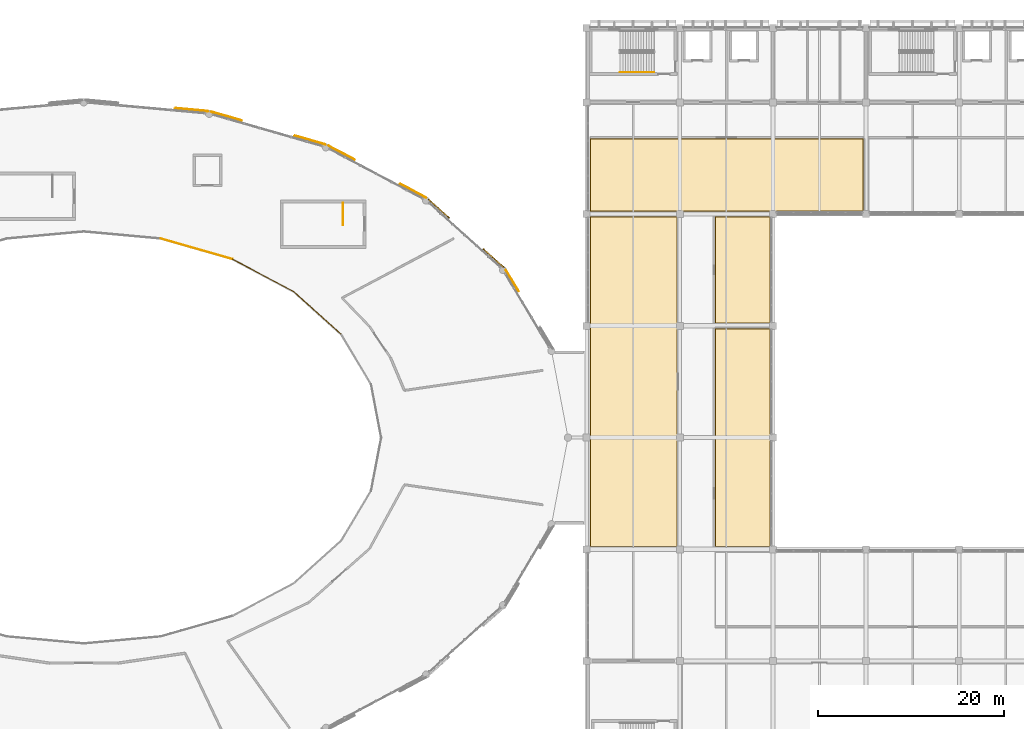
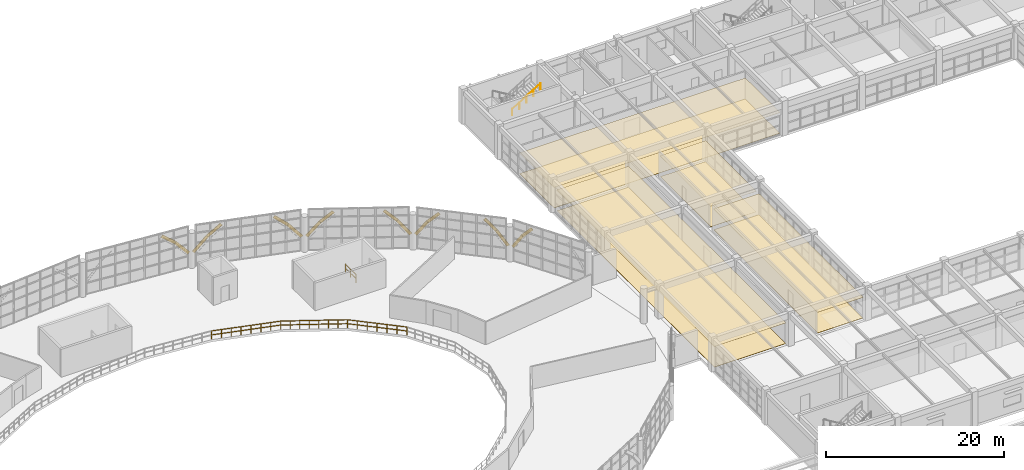
# One storey, part 103 of 109: 24 coverings, 5 railings.
"""IFC4 building model written with IfcOpenShell, lengths in metres."""

from ifc_helpers import new_model, si_unit, direction, frame, origin, origin_2d, place, context, subcontext, project, spatial, polyline, rectangle, circle, outline, extrude, material, layer, layer_set, type_object, element, save


model = new_model("IFC4")

# Units and contexts
model_context = context("Model", 3, precision=1e-05, world=origin(), true_north=direction((0.0, 1.0)))
body_context = subcontext(model_context, "Body", "Model", "MODEL_VIEW")
ifc_project = project(units=[si_unit("LENGTHUNIT", "METRE"), si_unit("AREAUNIT", "SQUARE_METRE"), si_unit("VOLUMEUNIT", "CUBIC_METRE"), si_unit("PLANEANGLEUNIT", "RADIAN"), si_unit("MASSUNIT", "GRAM", prefix="KILO")], contexts=[model_context])

# Site, building, storey
site_placement = place(None, origin())
site = spatial("IfcSite", under=ifc_project, at=site_placement, CompositionType="ELEMENT")
building_placement = place(site_placement, origin())
building = spatial("IfcBuilding", under=site, at=building_placement, Name="Kivolera Central Railway Station", CompositionType="ELEMENT")
storey_placement = place(building_placement, frame((0.0, 0.0, 9.60009765625)))
storey = spatial("IfcBuildingStorey", under=building, at=storey_placement, Name="L02", CompositionType="ELEMENT", Elevation=9.60009765625)

# Coverings
ifc_material_1 = material(Name="Mineral fibre acoustic tile")
ifc_layer_1 = layer(ifc_material_1, 0.02001953125, Name="Mineral fibre acoustic tile")
ifc_layer_set_1 = layer_set([ifc_layer_1], Name="Mineral fibre acoustic tile")
covering_type_1 = type_object("IfcCoveringType", Name="COV-CEIL-20", PredefinedType="CEILING", material=ifc_layer_set_1)
covering_1_placement = place(storey_placement, frame((0.0, 0.0, 2.849853515625)))
element("IfcCovering", 1, at=covering_1_placement, inside=storey, type_object=covering_type_1, Name="L02 Harbour Breeze Station Dining Hall Acoustic Ceiling", PredefinedType="CEILING", context=body_context, shape_type="SweptSolid", body=[
    extrude(outline(polyline([(118.3798828125, 114.280029296875), (147.719970703125, 114.280029296875), (147.719970703125, 122.1201171875), (118.3798828125, 122.1201171875), (118.3798828125, 114.280029296875)])), origin(), (0.0, 0.0, 1.0), 0.02001953125),
])
covering_2_placement = place(storey_placement, frame((0.0, 0.0, 2.849853515625)))
element("IfcCovering", 2, at=covering_2_placement, inside=storey, type_object=covering_type_1, Name="L02 Parents' Nursing Care Room Acoustic Ceiling", PredefinedType="CEILING", context=body_context, shape_type="SweptSolid", body=[
    extrude(outline(polyline([(131.780029296875, 102.280029296875), (137.719970703125, 102.280029296875), (137.719970703125, 113.719970703125), (131.780029296875, 113.719970703125), (131.780029296875, 102.280029296875)])), origin(), (0.0, 0.0, 1.0), 0.02001953125),
])
ifc_material_2 = material(Name="Hardwood mvule timber", Category="wood")
ifc_layer_2 = layer(ifc_material_2, 0.02490234375, Name="Hardwood mvule timber")
ifc_layer_set_2 = layer_set([ifc_layer_2], Name="Hardwood mvule timber")
covering_type_2 = type_object("IfcCoveringType", Name="COV-CEIL-25", PredefinedType="CEILING", material=ifc_layer_set_2)
covering_3_placement = place(storey_placement, frame((0.0, 0.0, 2.849853515625)))
element("IfcCovering", 3, at=covering_3_placement, inside=storey, type_object=covering_type_2, Name="L02 International Rail Travel Centre Shop Acoustic Ceiling", PredefinedType="CEILING", context=body_context, shape_type="SweptSolid", body=[
    extrude(outline(polyline([(118.3798828125, 78.280029296875), (127.719970703125, 78.280029296875), (127.719970703125, 113.719970703125), (118.3798828125, 113.719970703125), (118.3798828125, 78.280029296875)])), origin(), (0.0, 0.0, 1.0), 0.025146484375),
])
ifc_layer_3 = layer(ifc_material_1, 0.030029296875, Name="Mineral fibre acoustic tile")
ifc_layer_set_3 = layer_set([ifc_layer_3], Name="Mineral fibre acoustic tile")
covering_type_3 = type_object("IfcCoveringType", Name="COV-CEIL-30", PredefinedType="CEILING", material=ifc_layer_set_3)
covering_4_placement = place(storey_placement, frame((0.0, 0.0, 2.849853515625)))
element("IfcCovering", 4, at=covering_4_placement, inside=storey, type_object=covering_type_3, Name="L02 Family and Children Waiting Lounge Acoustic Ceiling", PredefinedType="CEILING", context=body_context, shape_type="SweptSolid", body=[
    extrude(outline(polyline([(131.780029296875, 78.280029296875), (137.719970703125, 78.280029296875), (137.719970703125, 101.719970703125), (131.780029296875, 101.719970703125), (131.780029296875, 78.280029296875)])), origin(), (0.0, 0.0, 1.0), 0.030029296875),
])
ifc_material_3 = material(Name="Precast concrete C40/50", Category="concrete")
ifc_layer_4 = layer(ifc_material_3, 0.090087890625, Name="Precast concrete C40/50")
ifc_layer_set_4 = layer_set([ifc_layer_4], Name="Precast concrete C40/50")
covering_type_4 = type_object("IfcCoveringType", Name="COV-CLAUSTRA-90", PredefinedType="CLADDING", material=ifc_layer_set_4)
covering_5_placement = place(storey_placement, frame((110.325927734375, 106.3349609375, 4.366943359375), z_axis=(-0.343400964084, 0.57361084614, -0.743670878182), x_axis=(0.858137550629, 0.513419851778, 0.0)))
element("IfcCovering", 5, at=covering_5_placement, inside=storey, type_object=covering_type_4, Name="Oval Lantern Arch Spandrel Extrados Trim 02.5", PredefinedType="CLADDING", context=body_context, shape_type="SweptSolid", body=[
    extrude(rectangle(XDim=0.090087890625, YDim=0.3798828125, at=origin_2d()), frame((0.0, 0.0, -0.91455078125)), (0.0, 0.0, 1.0), 1.8291015625),
])
covering_6_placement = place(storey_placement, frame((109.69189453125, 107.39501953125, 2.719970703125), z_axis=(-0.277895585097, 0.464634338162, -0.840766897293), x_axis=(0.858137550629, 0.513419851778, 0.0)))
element("IfcCovering", 6, at=covering_6_placement, inside=storey, type_object=covering_type_4, Name="Oval Lantern Arch Spandrel Extrados Trim 02.6", PredefinedType="CLADDING", context=body_context, shape_type="SweptSolid", body=[
    extrude(rectangle(XDim=0.090087890625, YDim=0.3798828125, at=origin_2d()), frame((0.0, 0.0, -1.1298828125)), (0.0, 0.0, 1.0), 2.260009765625),
])
covering_7_placement = place(storey_placement, frame((108.51611328125, 108.81005859375, 2.724853515625), z_axis=(-0.431133332814, 0.388705698832, 0.814267725648), x_axis=(0.669922245859, 0.742431265844, 0.0)))
element("IfcCovering", 7, at=covering_7_placement, inside=storey, type_object=covering_type_4, Name="Oval Lantern Arch Spandrel Extrados Trim 03.1", PredefinedType="CLADDING", context=body_context, shape_type="SweptSolid", body=[
    extrude(rectangle(XDim=0.090087890625, YDim=0.3798828125, at=origin_2d()), frame((0.0, 0.0, -1.16650390625)), (0.0, 0.0, 1.0), 2.3330078125),
])
for number, where, z_axis, x_axis, name in (
    (8, (107.5, 109.72705078125, 4.371826171875), (-0.523601648239, 0.473064972216, 0.708555464324), (0.669922245859, 0.742431265844, 0.0), "Oval Lantern Arch Spandrel Extrados Trim 03.2"),
    (9, (102.64501953125, 114.10791015625, 4.371826171875), (-0.523601648239, 0.473064972216, -0.708555464324), (0.669922245859, 0.742431265844, 0.0), "Oval Lantern Arch Spandrel Extrados Trim 03.5"),
):
    element("IfcCovering", number, at=place(storey_placement, frame(where, z_axis=z_axis, x_axis=x_axis)), inside=storey, type_object=covering_type_4, Name=name, PredefinedType="CLADDING", context=body_context, shape_type="SweptSolid", body=[
        extrude(rectangle(XDim=0.090087890625, YDim=0.3798828125, at=origin_2d()), frame((0.0, 0.0, -0.95947265625)), (0.0, 0.0, 1.0), 1.9189453125),
    ])
covering_8_placement = place(storey_placement, frame((101.62890625, 115.02490234375, 2.724853515625), z_axis=(-0.431133332814, 0.388705698832, -0.814267725648), x_axis=(0.669922245859, 0.742431265844, 0.0)))
element("IfcCovering", 10, at=covering_8_placement, inside=storey, type_object=covering_type_4, Name="Oval Lantern Arch Spandrel Extrados Trim 03.6", PredefinedType="CLADDING", context=body_context, shape_type="SweptSolid", body=[
    extrude(rectangle(XDim=0.090087890625, YDim=0.3798828125, at=origin_2d()), frame((0.0, 0.0, -1.16650390625)), (0.0, 0.0, 1.0), 2.3330078125),
])
covering_9_placement = place(storey_placement, frame((100.007080078125, 116.14990234375, 2.72998046875), z_axis=(-0.545817252017, 0.289667988009, 0.786241683024), x_axis=(0.469119253064, 0.88313482912, 0.0)))
element("IfcCovering", 11, at=covering_9_placement, inside=storey, type_object=covering_type_4, Name="Oval Lantern Arch Spandrel Extrados Trim 04.1", PredefinedType="CLADDING", context=body_context, shape_type="SweptSolid", body=[
    extrude(rectangle(XDim=0.090087890625, YDim=0.3798828125, at=origin_2d()), frame((0.0, 0.0, -1.20849609375)), (0.0, 0.0, 1.0), 2.4169921875),
])
covering_10_placement = place(storey_placement, frame((98.676025390625, 116.85693359375, 4.3759765625), z_axis=(-0.652769351274, 0.346690854146, 0.673570802283), x_axis=(0.469119253064, 0.88313482912, 0.0)))
element("IfcCovering", 12, at=covering_10_placement, inside=storey, type_object=covering_type_4, Name="Oval Lantern Arch Spandrel Extrados Trim 04.2", PredefinedType="CLADDING", context=body_context, shape_type="SweptSolid", body=[
    extrude(rectangle(XDim=0.090087890625, YDim=0.3798828125, at=origin_2d()), frame((0.0, 0.0, -1.009521484375)), (0.0, 0.0, 1.0), 2.01904296875),
])
covering_11_placement = place(storey_placement, frame((92.333984375, 120.22607421875, 4.3759765625), z_axis=(-0.653053446153, 0.346578781081, -0.673353061158), x_axis=(0.469119253064, 0.88313482912, 0.0)))
element("IfcCovering", 13, at=covering_11_placement, inside=storey, type_object=covering_type_4, Name="Oval Lantern Arch Spandrel Extrados Trim 04.5", PredefinedType="CLADDING", context=body_context, shape_type="SweptSolid", body=[
    extrude(rectangle(XDim=0.090087890625, YDim=0.3798828125, at=origin_2d()), frame((0.0, 0.0, -1.010009765625)), (0.0, 0.0, 1.0), 2.02001953125),
])
covering_12_placement = place(storey_placement, frame((91.001953125, 120.93310546875, 2.72998046875), z_axis=(-0.545526623994, 0.289733411997, -0.786419259992), x_axis=(0.469119253064, 0.88313482912, 0.0)))
element("IfcCovering", 14, at=covering_12_placement, inside=storey, type_object=covering_type_4, Name="Oval Lantern Arch Spandrel Extrados Trim 04.6", PredefinedType="CLADDING", context=body_context, shape_type="SweptSolid", body=[
    extrude(rectangle(XDim=0.090087890625, YDim=0.3798828125, at=origin_2d()), frame((0.0, 0.0, -1.2080078125)), (0.0, 0.0, 1.0), 2.416015625),
])
covering_13_placement = place(storey_placement, frame((89.053955078125, 121.712890625, 2.73388671875), z_axis=(-0.620126449154, 0.177753496044, 0.76409873819), x_axis=(0.275632123108, 0.961263196378, 0.0)))
element("IfcCovering", 15, at=covering_13_placement, inside=storey, type_object=covering_type_4, Name="Oval Lantern Arch Spandrel Extrados Trim 05.1", PredefinedType="CLADDING", context=body_context, shape_type="SweptSolid", body=[
    extrude(rectangle(XDim=0.090087890625, YDim=0.3798828125, at=origin_2d()), frame((0.0, 0.0, -1.24365234375)), (0.0, 0.0, 1.0), 2.487060546875),
])
covering_14_placement = place(storey_placement, frame((87.498046875, 122.159912109375, 4.37890625), z_axis=(-0.733008389459, 0.210246403845, 0.646912011523), x_axis=(0.275632123108, 0.961263196378, 0.0)))
element("IfcCovering", 16, at=covering_14_placement, inside=storey, type_object=covering_type_4, Name="Oval Lantern Arch Spandrel Extrados Trim 05.2", PredefinedType="CLADDING", context=body_context, shape_type="SweptSolid", body=[
    extrude(rectangle(XDim=0.090087890625, YDim=0.3798828125, at=origin_2d()), frame((0.0, 0.0, -1.051025390625)), (0.0, 0.0, 1.0), 2.10205078125),
])
covering_15_placement = place(storey_placement, frame((80.10205078125, 124.280029296875, 4.37890625), z_axis=(-0.733228366786, 0.210173111939, -0.646686496811), x_axis=(0.275632123108, 0.961263196378, 0.0)))
element("IfcCovering", 17, at=covering_15_placement, inside=storey, type_object=covering_type_4, Name="Oval Lantern Arch Spandrel Extrados Trim 05.5", PredefinedType="CLADDING", context=body_context, shape_type="SweptSolid", body=[
    extrude(rectangle(XDim=0.090087890625, YDim=0.3798828125, at=origin_2d()), frame((0.0, 0.0, -1.051513671875)), (0.0, 0.0, 1.0), 2.10302734375),
])
covering_16_placement = place(storey_placement, frame((78.5458984375, 124.72705078125, 2.73388671875), z_axis=(-0.620082073923, 0.178142904978, -0.764044060906), x_axis=(0.275632123108, 0.961263196378, 0.0)))
element("IfcCovering", 18, at=covering_16_placement, inside=storey, type_object=covering_type_4, Name="Oval Lantern Arch Spandrel Extrados Trim 05.6", PredefinedType="CLADDING", context=body_context, shape_type="SweptSolid", body=[
    extrude(rectangle(XDim=0.090087890625, YDim=0.3798828125, at=origin_2d()), frame((0.0, 0.0, -1.24365234375)), (0.0, 0.0, 1.0), 2.487060546875),
])
covering_17_placement = place(storey_placement, frame((76.39697265625, 125.1259765625, 2.73583984375), z_axis=(-0.656092285002, 0.059788736, 0.752308594002), x_axis=(0.090789260019, 0.995870127208, 0.0)))
element("IfcCovering", 19, at=covering_17_placement, inside=storey, type_object=covering_type_4, Name="Oval Lantern Arch Spandrel Extrados Trim 06.1", PredefinedType="CLADDING", context=body_context, shape_type="SweptSolid", body=[
    extrude(rectangle(XDim=0.090087890625, YDim=0.3798828125, at=origin_2d()), frame((0.0, 0.0, -1.262939453125)), (0.0, 0.0, 1.0), 2.52587890625),
])
covering_18_placement = place(storey_placement, frame((74.72412109375, 125.278076171875, 4.380859375), z_axis=(-0.771257483248, 0.070241182023, 0.632635812203), x_axis=(0.090789260019, 0.995870127208, 0.0)))
element("IfcCovering", 20, at=covering_18_placement, inside=storey, type_object=covering_type_4, Name="Oval Lantern Arch Spandrel Extrados Trim 06.2", PredefinedType="CLADDING", context=body_context, shape_type="SweptSolid", body=[
    extrude(rectangle(XDim=0.090087890625, YDim=0.3798828125, at=origin_2d()), frame((0.0, 0.0, -1.074951171875)), (0.0, 0.0, 1.0), 2.14990234375),
])
ifc_material_4 = material(Name="Swahili coral limestone", Category="masonry")
ifc_layer_5 = layer(ifc_material_4, 0.030029296875, Name="Swahili coral limestone")
ifc_layer_set_5 = layer_set([ifc_layer_5], Name="Swahili coral limestone")
covering_type_5 = type_object("IfcCoveringType", Name="COV-FLR-30", PredefinedType="FLOORING", material=ifc_layer_set_5)
covering_19_placement = place(storey_placement, origin())
element("IfcCovering", 21, at=covering_19_placement, inside=storey, type_object=covering_type_5, Name="L02 Harbour Breeze Station Dining Hall Floor Finish", PredefinedType="FLOORING", context=body_context, shape_type="SweptSolid", body=[
    extrude(outline(polyline([(118.419921875, 114.320068359375), (147.679931640625, 114.320068359375), (147.679931640625, 122.080078125), (118.419921875, 122.080078125), (118.419921875, 114.320068359375)])), origin(), (0.0, 0.0, 1.0), 0.02978515625),
])
covering_20_placement = place(storey_placement, origin())
element("IfcCovering", 22, at=covering_20_placement, inside=storey, type_object=covering_type_5, Name="L02 International Rail Travel Centre Shop Floor Finish", PredefinedType="FLOORING", context=body_context, shape_type="SweptSolid", body=[
    extrude(outline(polyline([(118.419921875, 78.320068359375), (127.679931640625, 78.320068359375), (127.679931640625, 113.679931640625), (118.419921875, 113.679931640625), (118.419921875, 78.320068359375)])), origin(), (0.0, 0.0, 1.0), 0.02978515625),
])
covering_21_placement = place(storey_placement, origin())
element("IfcCovering", 23, at=covering_21_placement, inside=storey, type_object=covering_type_5, Name="L02 Family and Children Waiting Lounge Floor Finish", PredefinedType="FLOORING", context=body_context, shape_type="SweptSolid", body=[
    extrude(outline(polyline([(131.820068359375, 78.320068359375), (137.679931640625, 78.320068359375), (137.679931640625, 101.679931640625), (131.820068359375, 101.679931640625), (131.820068359375, 78.320068359375)])), origin(), (0.0, 0.0, 1.0), 0.02978515625),
])
covering_22_placement = place(storey_placement, origin())
element("IfcCovering", 24, at=covering_22_placement, inside=storey, type_object=covering_type_5, Name="L02 Parents' Nursing Care Room Floor Finish", PredefinedType="FLOORING", context=body_context, shape_type="SweptSolid", body=[
    extrude(outline(polyline([(131.820068359375, 102.320068359375), (137.679931640625, 102.320068359375), (137.679931640625, 113.679931640625), (131.820068359375, 113.679931640625), (131.820068359375, 102.320068359375)])), origin(), (0.0, 0.0, 1.0), 0.02978515625),
])

# Railings
ifc_material_5 = material(Name="Anodised aluminium", Category="aluminium")
ifc_layer_6 = layer(ifc_material_5, 0.048095703125, Name="Anodised aluminium")
ifc_layer_set_6 = layer_set([ifc_layer_6], Name="Anodised aluminium")
railing_type_1 = type_object("IfcRailingType", Name="RL-INT-BAL-1130", PredefinedType="BALUSTRADE", material=ifc_layer_set_6)
railing_1_placement = place(storey_placement, frame((91.669921875, 101.06005859375, 0.0)))
element("IfcRailing", 25, at=railing_1_placement, inside=storey, type_object=railing_type_1, Name="L02 Concourse Upper Gallery Balustrade 03", PredefinedType="BALUSTRADE", context=body_context, shape_type="SweptSolid", body=[
    extrude(circle(Radius=0.02392578125, at=origin_2d()), frame((0.0, 0.0, 1.10595703125), z_axis=(-0.74249661142, 0.669849820505, 0.0), x_axis=(-0.669849820505, -0.74249661142, 0.0)), (0.0, 0.0, 1.0), 6.8388671875),
    extrude(circle(Radius=0.02392578125, at=origin_2d()), frame((0.0, 0.0, 0.56494140625), z_axis=(-0.74249661142, 0.669849820505, 0.0), x_axis=(-0.669849820505, -0.74249661142, 0.0)), (0.0, 0.0, 1.0), 6.8388671875),
    extrude(circle(Radius=0.02099609375, at=origin_2d()), origin(), (0.0, 0.0, 1.0), 1.081787109375),
    extrude(circle(Radius=0.02099609375, at=origin_2d()), frame((-0.84619140625, 0.763427734375, 0.0)), (0.0, 0.0, 1.0), 1.081787109375),
    extrude(circle(Radius=0.02099609375, at=origin_2d()), frame((-1.692626953125, 1.527099609375, 0.0)), (0.0, 0.0, 1.0), 1.081787109375),
    extrude(circle(Radius=0.02099609375, at=origin_2d()), frame((-2.5390625, 2.29052734375, 0.0)), (0.0, 0.0, 1.0), 1.081787109375),
    extrude(circle(Radius=0.02099609375, at=origin_2d()), frame((-3.38525390625, 3.053955078125, 0.0)), (0.0, 0.0, 1.0), 1.081787109375),
    extrude(circle(Radius=0.02099609375, at=origin_2d()), frame((-4.2314453125, 3.817626953125, 0.0)), (0.0, 0.0, 1.0), 1.081787109375),
    extrude(circle(Radius=0.02099609375, at=origin_2d()), frame((-5.077880859375, 4.5810546875, 0.0)), (0.0, 0.0, 1.0), 1.081787109375),
])
railing_2_placement = place(storey_placement, frame((86.592041015625, 105.64111328125, 0.0)))
element("IfcRailing", 26, at=railing_2_placement, inside=storey, type_object=railing_type_1, Name="L02 Concourse Upper Gallery Balustrade 04", PredefinedType="BALUSTRADE", context=body_context, shape_type="SweptSolid", body=[
    extrude(circle(Radius=0.02392578125, at=origin_2d()), frame((0.0, 0.0, 1.10595703125), z_axis=(-0.883135547269, 0.469117901119, 0.0), x_axis=(-0.469117901119, -0.883135547269, 0.0)), (0.0, 0.0, 1.0), 7.49267578125),
    extrude(circle(Radius=0.02392578125, at=origin_2d()), frame((0.0, 0.0, 0.56494140625), z_axis=(-0.883135547269, 0.469117901119, 0.0), x_axis=(-0.469117901119, -0.883135547269, 0.0)), (0.0, 0.0, 1.0), 7.49267578125),
    extrude(circle(Radius=0.02099609375, at=origin_2d()), origin(), (0.0, 0.0, 1.0), 1.081787109375),
    extrude(circle(Radius=0.02099609375, at=origin_2d()), frame((-0.9453125, 0.502197265625, 0.0)), (0.0, 0.0, 1.0), 1.081787109375),
    extrude(circle(Radius=0.02099609375, at=origin_2d()), frame((-1.890625, 1.004150390625, 0.0)), (0.0, 0.0, 1.0), 1.081787109375),
    extrude(circle(Radius=0.02099609375, at=origin_2d()), frame((-2.8359375, 1.50634765625, 0.0)), (0.0, 0.0, 1.0), 1.081787109375),
    extrude(circle(Radius=0.02099609375, at=origin_2d()), frame((-3.781005859375, 2.008544921875, 0.0)), (0.0, 0.0, 1.0), 1.081787109375),
    extrude(circle(Radius=0.02099609375, at=origin_2d()), frame((-4.726318359375, 2.5107421875, 0.0)), (0.0, 0.0, 1.0), 1.081787109375),
    extrude(circle(Radius=0.02099609375, at=origin_2d()), frame((-5.671630859375, 3.0126953125, 0.0)), (0.0, 0.0, 1.0), 1.081787109375),
    extrude(circle(Radius=0.02099609375, at=origin_2d()), frame((-6.616943359375, 3.514892578125, 0.0)), (0.0, 0.0, 1.0), 1.081787109375),
])
railing_3_placement = place(storey_placement, frame((79.97509765625, 109.156005859375, 0.0)))
element("IfcRailing", 27, at=railing_3_placement, inside=storey, type_object=railing_type_1, Name="L02 Concourse Upper Gallery Balustrade 05", PredefinedType="BALUSTRADE", context=body_context, shape_type="SweptSolid", body=[
    extrude(circle(Radius=0.02392578125, at=origin_2d()), frame((0.0, 0.0, 1.10595703125), z_axis=(-0.961252265472, 0.275670241638, 0.0), x_axis=(-0.275670241638, -0.961252265472, 0.0)), (0.0, 0.0, 1.0), 8.0166015625),
    extrude(circle(Radius=0.02392578125, at=origin_2d()), frame((0.0, 0.0, 0.56494140625), z_axis=(-0.961252265472, 0.275670241638, 0.0), x_axis=(-0.275670241638, -0.961252265472, 0.0)), (0.0, 0.0, 1.0), 8.0166015625),
    extrude(circle(Radius=0.02099609375, at=origin_2d()), origin(), (0.0, 0.0, 1.0), 1.081787109375),
    extrude(circle(Radius=0.02099609375, at=origin_2d()), frame((-1.100830078125, 0.315673828125, 0.0)), (0.0, 0.0, 1.0), 1.081787109375),
    extrude(circle(Radius=0.02099609375, at=origin_2d()), frame((-2.20166015625, 0.63134765625, 0.0)), (0.0, 0.0, 1.0), 1.081787109375),
    extrude(circle(Radius=0.02099609375, at=origin_2d()), frame((-3.302490234375, 0.947021484375, 0.0)), (0.0, 0.0, 1.0), 1.081787109375),
    extrude(circle(Radius=0.02099609375, at=origin_2d()), frame((-4.403564453125, 1.262939453125, 0.0)), (0.0, 0.0, 1.0), 1.081787109375),
    extrude(circle(Radius=0.02099609375, at=origin_2d()), frame((-5.50439453125, 1.57861328125, 0.0)), (0.0, 0.0, 1.0), 1.081787109375),
    extrude(circle(Radius=0.02099609375, at=origin_2d()), frame((-6.605224609375, 1.894287109375, 0.0)), (0.0, 0.0, 1.0), 1.081787109375),
    extrude(circle(Radius=0.02099609375, at=origin_2d()), frame((-7.7060546875, 2.2099609375, 0.0)), (0.0, 0.0, 1.0), 1.081787109375),
])
ifc_layer_7 = layer(ifc_material_5, 0.048095703125, Name="Anodised aluminium")
ifc_layer_set_7 = layer_set([ifc_layer_7], Name="Anodised aluminium")
railing_type_2 = type_object("IfcRailingType", Name="RL-STAIR-GUARD", PredefinedType="GUARDRAIL", material=ifc_layer_set_7)
railing_4_placement = place(storey_placement, frame((91.85009765625, 115.199951171875, 0.0)))
element("IfcRailing", 28, at=railing_4_placement, inside=storey, type_object=railing_type_2, Name="L02 ST7 top well guard 1", PredefinedType="GUARDRAIL", context=body_context, shape_type="SweptSolid", body=[
    extrude(circle(Radius=0.02392578125, at=origin_2d()), frame((0.0, 0.0, 1.10595703125), z_axis=(0.0, -1.0, 0.0), x_axis=(1.0, 0.0, 0.0)), (0.0, 0.0, 1.0), 2.3798828125),
    extrude(circle(Radius=0.02392578125, at=origin_2d()), frame((0.0, 0.0, 0.56494140625), z_axis=(0.0, -1.0, 0.0), x_axis=(1.0, 0.0, 0.0)), (0.0, 0.0, 1.0), 2.3798828125),
    extrude(circle(Radius=0.02099609375, at=origin_2d()), origin(), (0.0, 0.0, 1.0), 1.081787109375),
    extrude(circle(Radius=0.02099609375, at=origin_2d()), frame((0.0, -1.18994140625, 0.0)), (0.0, 0.0, 1.0), 1.081787109375),
    extrude(circle(Radius=0.02099609375, at=origin_2d()), frame((0.0, -2.3798828125, 0.0)), (0.0, 0.0, 1.0), 1.081787109375),
])
ifc_layer_8 = layer(ifc_material_5, 0.048095703125, Name="Anodised aluminium")
ifc_layer_set_8 = layer_set([ifc_layer_8], Name="Anodised aluminium")
railing_type_3 = type_object("IfcRailingType", Name="RL-STAIR-HAND", PredefinedType="HANDRAIL", material=ifc_layer_set_8)
railing_5_placement = place(storey_placement, frame((121.60009765625, 129.22998046875, 2.5712890625)))
element("IfcRailing", 29, at=railing_5_placement, inside=storey, type_object=railing_type_3, Name="L02 ST1 stair handrail 2", PredefinedType="HANDRAIL", context=body_context, shape_type="SweptSolid", body=[
    extrude(circle(Radius=0.02392578125, at=origin_2d()), frame((0.0, 0.0, 0.8759765625), z_axis=(0.852850264322, 0.0, 0.5221555579), x_axis=(0.0, 1.0, 0.0)), (0.0, 0.0, 1.0), 4.267822265625),
    extrude(circle(Radius=0.02099609375, at=origin_2d()), origin(), (0.0, 0.0, 1.0), 0.851806640625),
    extrude(circle(Radius=0.02099609375, at=origin_2d()), frame((0.909912109375, 0.0, 0.55712890625)), (0.0, 0.0, 1.0), 0.851806640625),
    extrude(circle(Radius=0.02099609375, at=origin_2d()), frame((1.81982421875, 0.0, 1.1142578125)), (0.0, 0.0, 1.0), 0.851806640625),
    extrude(circle(Radius=0.02099609375, at=origin_2d()), frame((2.72998046875, 0.0, 1.67138671875)), (0.0, 0.0, 1.0), 0.851806640625),
    extrude(circle(Radius=0.02099609375, at=origin_2d()), frame((3.639892578125, 0.0, 2.228515625)), (0.0, 0.0, 1.0), 0.851806640625),
])

save(model, "model.ifc")
